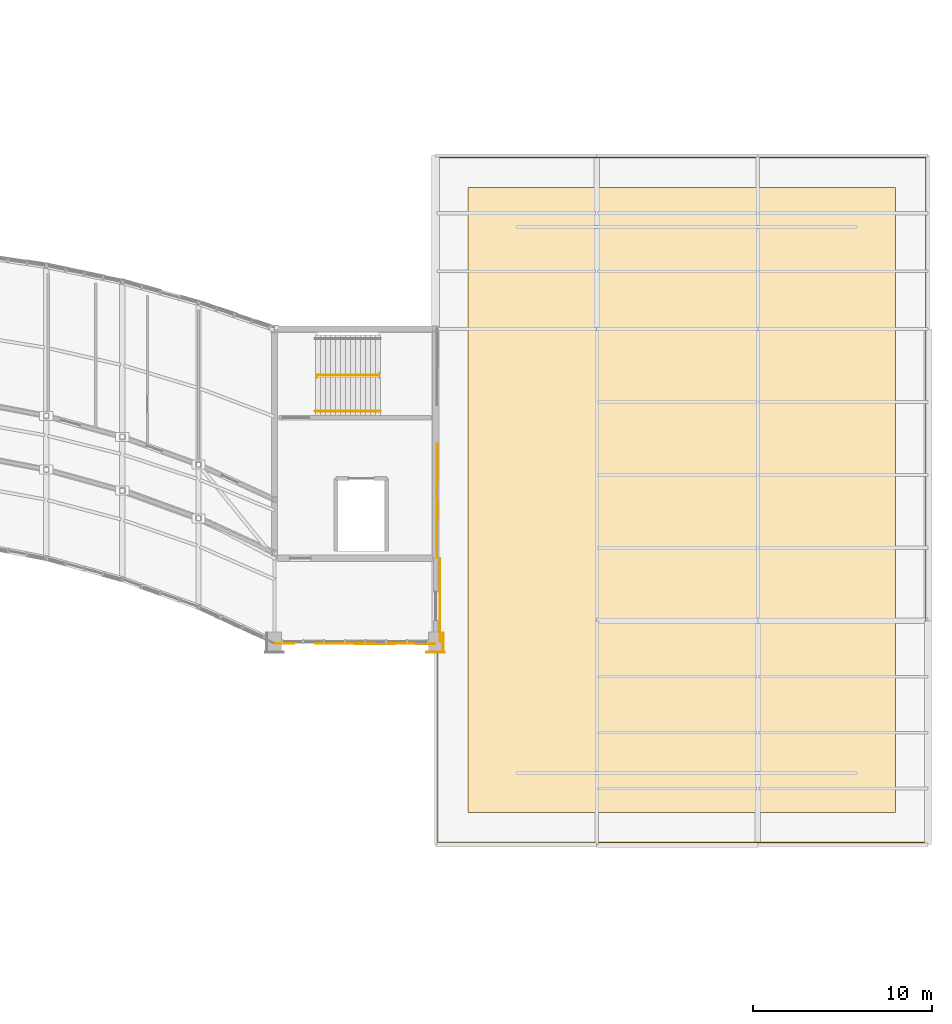
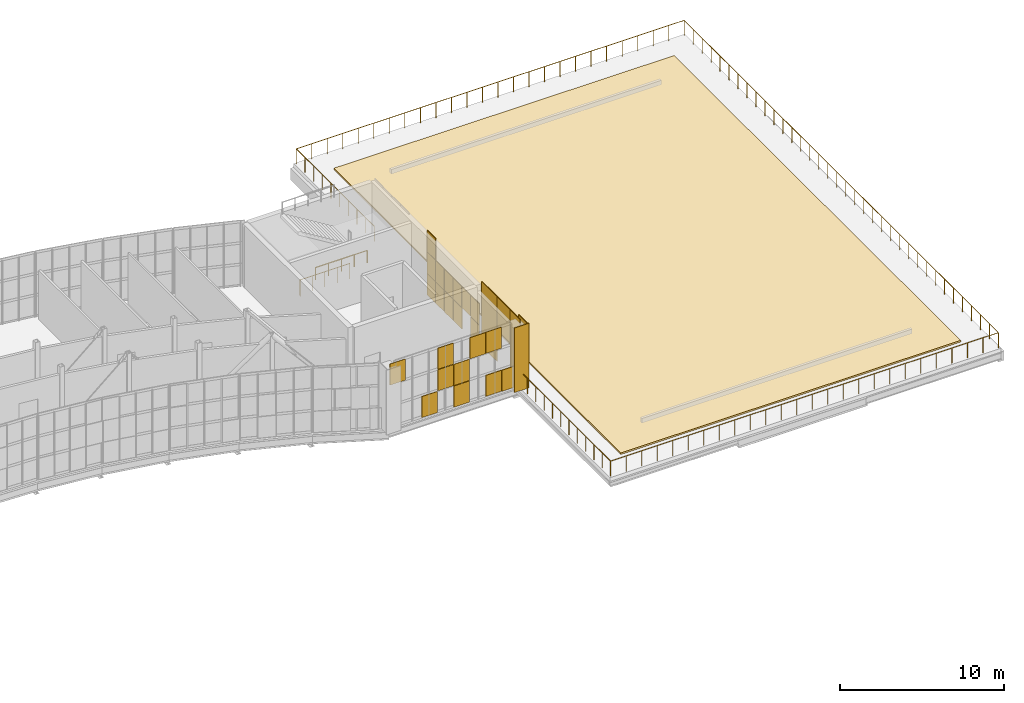
# One storey, part 65 of 66: 28 coverings, 3 railings.
"""IFC4 building model written with IfcOpenShell, lengths in metres."""

from ifc_helpers import new_model, si_unit, direction, frame, origin, origin_2d, place, context, subcontext, project, spatial, polyline, rectangle, circle, outline, extrude, material, layer, layer_set, type_object, element, save


model = new_model("IFC4")

# Units and contexts
model_context = context("Model", 3, precision=1e-05, world=origin(), true_north=direction((0.0, 1.0)))
body_context = subcontext(model_context, "Body", "Model", "MODEL_VIEW")
ifc_project = project(units=[si_unit("LENGTHUNIT", "METRE"), si_unit("AREAUNIT", "SQUARE_METRE"), si_unit("VOLUMEUNIT", "CUBIC_METRE"), si_unit("PLANEANGLEUNIT", "RADIAN"), si_unit("MASSUNIT", "GRAM", prefix="KILO")], contexts=[model_context])

# Site, building, storey
site_placement = place(None, origin())
site = spatial("IfcSite", under=ifc_project, at=site_placement, CompositionType="ELEMENT")
building_placement = place(site_placement, origin())
building = spatial("IfcBuilding", under=site, at=building_placement, Name="Solvikara Media Centre", CompositionType="ELEMENT")
storey_placement = place(building_placement, frame((0.0, 0.0, 19.800048828125)))
storey = spatial("IfcBuildingStorey", under=building, at=storey_placement, Name="L04", CompositionType="ELEMENT", Elevation=19.800048828125)

# Coverings
ifc_material_1 = material(Name="GFRC white mineral architectural rainscreen panel")
ifc_layer_1 = layer(ifc_material_1, 0.050048828125)
ifc_layer_set_1 = layer_set([ifc_layer_1], Name="GFRC white mineral architectural rainscreen panel")
covering_type_1 = type_object("IfcCoveringType", Name="CV-04", PredefinedType="CLADDING", material=ifc_layer_set_1)
for number, where, z_axis, x_axis, name in (
    (1, (136.925048828125, 19.323974609375, 0.0), (0.0, 0.0, 1.0), (0.0, 1.0, 0.0), "PIL-L04-247"),
    (2, (136.5, 18.7490234375, 0.0), (0.0, 0.0, 1.0), (1.0, 0.0, 0.0), "PIL-L04-248"),
):
    element("IfcCovering", number, at=place(storey_placement, frame(where, z_axis=z_axis, x_axis=x_axis)), inside=storey, type_object=covering_type_1, Name=name, PredefinedType="CLADDING", context=body_context, shape_type="SweptSolid", body=[
        extrude(rectangle(XDim=1.0400390625, YDim=0.050048828125, at=origin_2d()), origin(), (0.0, 0.0, 1.0), 4.800048828125),
    ])
for number, where, z_axis, x_axis, name in (
    (3, (132.56201171875, 19.22998046875, 0.01513671875), (0.0, 0.0, 1.0), (1.0, 0.0, 0.0), "CW-L04-BHES-SF-40"),
    (4, (133.68798828125, 19.22998046875, 3.21484375), (0.0, 0.0, 1.0), (1.0, 0.0, 0.0), "CW-L04-BHES-SF-52"),
    (5, (135.93798828125, 19.22998046875, 0.01513671875), (0.0, 0.0, 1.0), (1.0, 0.0, 0.0), "CW-L04-BHES-SF-70"),
):
    element("IfcCovering", number, at=place(storey_placement, frame(where, z_axis=z_axis, x_axis=x_axis)), inside=storey, type_object=covering_type_1, Name=name, PredefinedType="CLADDING", context=body_context, shape_type="SweptSolid", body=[
        extrude(rectangle(XDim=1.094970703125, YDim=0.050048828125, at=origin_2d()), origin(), (0.0, 0.0, 1.0), 1.570068359375),
    ])
covering_1_placement = place(storey_placement, frame((136.7451171875, 19.924072265625, 0.0), z_axis=(0.0, 0.0, 1.0), x_axis=(0.0, 1.0, 0.0)))
element("IfcCovering", 6, at=covering_1_placement, inside=storey, type_object=covering_type_1, Name="L04-BHEE-CV-F01", PredefinedType="CLADDING", context=body_context, shape_type="SweptSolid", body=[
    extrude(rectangle(XDim=1.199951171875, YDim=0.050048828125, at=origin_2d()), origin(), (0.0, 0.0, 1.0), 4.800048828125),
])
covering_2_placement = place(storey_placement, frame((136.7451171875, 21.323974609375, 2.35009765625), z_axis=(0.0, 0.0, 1.0), x_axis=(0.0, 1.0, 0.0)))
element("IfcCovering", 7, at=covering_2_placement, inside=storey, type_object=covering_type_1, Name="L04-BHEE-CV-D02", PredefinedType="CLADDING", context=body_context, shape_type="SweptSolid", body=[
    extrude(rectangle(XDim=1.60009765625, YDim=0.050048828125, at=origin_2d()), origin(), (0.0, 0.0, 1.0), 2.449951171875),
])
covering_3_placement = place(storey_placement, frame((136.7451171875, 23.06201171875, 0.0), z_axis=(0.0, 0.0, 1.0), x_axis=(0.0, 1.0, 0.0)))
element("IfcCovering", 8, at=covering_3_placement, inside=storey, type_object=covering_type_1, Name="L04-BHEE-CV-F03", PredefinedType="CLADDING", context=body_context, shape_type="SweptSolid", body=[
    extrude(rectangle(XDim=1.8759765625, YDim=0.050048828125, at=origin_2d()), origin(), (0.0, 0.0, 1.0), 4.800048828125),
])
covering_4_placement = place(storey_placement, frame((136.593994140625, 26.666015625, 0.01513671875), z_axis=(0.0, 0.0, 1.0), x_axis=(0.0, 1.0, 0.0)))
element("IfcCovering", 9, at=covering_4_placement, inside=storey, type_object=covering_type_1, Name="SHM-L04-C4E-SF-20", PredefinedType="CLADDING", context=body_context, shape_type="SweptSolid", body=[
    extrude(rectangle(XDim=1.037109375, YDim=0.050048828125, at=origin_2d()), origin(), (0.0, 0.0, 1.0), 1.570068359375),
])
covering_5_placement = place(storey_placement, frame((136.593994140625, 28.800048828125, 0.01513671875), z_axis=(0.0, 0.0, 1.0), x_axis=(0.0, 1.0, 0.0)))
element("IfcCovering", 10, at=covering_5_placement, inside=storey, type_object=covering_type_1, Name="SHM-L04-C4E-SF-40", PredefinedType="CLADDING", context=body_context, shape_type="SweptSolid", body=[
    extrude(rectangle(XDim=1.035888671875, YDim=0.050048828125, at=origin_2d()), origin(), (0.0, 0.0, 1.0), 1.570068359375),
])
for number, where, z_axis, x_axis, name in (
    (11, (136.593994140625, 29.866943359375, 1.61474609375), (0.0, 0.0, 1.0), (0.0, 1.0, 0.0), "SHM-L04-C4E-SF-51"),
    (12, (136.593994140625, 29.866943359375, 3.21484375), (0.0, 0.0, 1.0), (0.0, 1.0, 0.0), "SHM-L04-C4E-SF-52"),
):
    element("IfcCovering", number, at=place(storey_placement, frame(where, z_axis=z_axis, x_axis=x_axis)), inside=storey, type_object=covering_type_1, Name=name, PredefinedType="CLADDING", context=body_context, shape_type="SweptSolid", body=[
        extrude(rectangle(XDim=1.037109375, YDim=0.050048828125, at=origin_2d()), origin(), (0.0, 0.0, 1.0), 1.570068359375),
    ])
ifc_material_2 = material(Name="Insulated silver-pearl glass spandrel panel", Category="glass")
ifc_layer_2 = layer(ifc_material_2, 0.034912109375)
ifc_layer_set_2 = layer_set([ifc_layer_2], Name="Insulated silver-pearl glass spandrel panel")
covering_type_2 = type_object("IfcCoveringType", Name="CV-06", PredefinedType="CLADDING", material=ifc_layer_set_2)
for number, where, z_axis, x_axis, name in (
    (13, (128.06201171875, 19.239990234375, 3.21484375), (0.0, 0.0, 1.0), (1.0, 0.0, 0.0), "CW-L04-BHES-PX-02"),
    (14, (130.31201171875, 19.239990234375, 0.01513671875), (0.0, 0.0, 1.0), (1.0, 0.0, 0.0), "CW-L04-BHES-PX-20"),
    (15, (131.43798828125, 19.239990234375, 1.61474609375), (0.0, 0.0, 1.0), (1.0, 0.0, 0.0), "CW-L04-BHES-PX-31"),
    (16, (131.43798828125, 19.239990234375, 3.21484375), (0.0, 0.0, 1.0), (1.0, 0.0, 0.0), "CW-L04-BHES-PX-32"),
    (17, (132.56201171875, 19.239990234375, 1.61474609375), (0.0, 0.0, 1.0), (1.0, 0.0, 0.0), "CW-L04-BHES-PX-41"),
    (18, (134.81201171875, 19.239990234375, 0.01513671875), (0.0, 0.0, 1.0), (1.0, 0.0, 0.0), "CW-L04-BHES-PX-60"),
    (19, (134.81201171875, 19.239990234375, 3.21484375), (0.0, 0.0, 1.0), (1.0, 0.0, 0.0), "CW-L04-BHES-PX-62"),
):
    element("IfcCovering", number, at=place(storey_placement, frame(where, z_axis=z_axis, x_axis=x_axis)), inside=storey, type_object=covering_type_2, Name=name, PredefinedType="CLADDING", context=body_context, shape_type="SweptSolid", body=[
        extrude(rectangle(XDim=1.094970703125, YDim=0.034912109375, at=origin_2d()), origin(), (0.0, 0.0, 1.0), 1.570068359375),
    ])
for number, where, z_axis, x_axis, name in (
    (20, (136.583984375, 24.533935546875, 0.01513671875), (0.0, 0.0, 1.0), (0.0, 1.0, 0.0), "SHM-L04-C4E-PX-00"),
    (21, (136.583984375, 24.533935546875, 1.61474609375), (0.0, 0.0, 1.0), (0.0, 1.0, 0.0), "SHM-L04-C4E-PX-01"),
):
    element("IfcCovering", number, at=place(storey_placement, frame(where, z_axis=z_axis, x_axis=x_axis)), inside=storey, type_object=covering_type_2, Name=name, PredefinedType="CLADDING", context=body_context, shape_type="SweptSolid", body=[
        extrude(rectangle(XDim=1.037109375, YDim=0.034912109375, at=origin_2d()), origin(), (0.0, 0.0, 1.0), 1.570068359375),
    ])
covering_6_placement = place(storey_placement, frame((136.583984375, 25.60009765625, 1.61474609375), z_axis=(0.0, 0.0, 1.0), x_axis=(0.0, 1.0, 0.0)))
element("IfcCovering", 22, at=covering_6_placement, inside=storey, type_object=covering_type_2, Name="SHM-L04-C4E-PX-11", PredefinedType="CLADDING", context=body_context, shape_type="SweptSolid", body=[
    extrude(rectangle(XDim=1.035888671875, YDim=0.034912109375, at=origin_2d()), origin(), (0.0, 0.0, 1.0), 1.570068359375),
])
for number, where, z_axis, x_axis, name in (
    (23, (136.583984375, 26.666015625, 1.61474609375), (0.0, 0.0, 1.0), (0.0, 1.0, 0.0), "SHM-L04-C4E-PX-21"),
    (24, (136.583984375, 27.73291015625, 0.01513671875), (0.0, 0.0, 1.0), (0.0, 1.0, 0.0), "SHM-L04-C4E-PX-30"),
    (25, (136.583984375, 27.73291015625, 1.61474609375), (0.0, 0.0, 1.0), (0.0, 1.0, 0.0), "SHM-L04-C4E-PX-31"),
):
    element("IfcCovering", number, at=place(storey_placement, frame(where, z_axis=z_axis, x_axis=x_axis)), inside=storey, type_object=covering_type_2, Name=name, PredefinedType="CLADDING", context=body_context, shape_type="SweptSolid", body=[
        extrude(rectangle(XDim=1.037109375, YDim=0.034912109375, at=origin_2d()), origin(), (0.0, 0.0, 1.0), 1.570068359375),
    ])
covering_7_placement = place(storey_placement, frame((136.583984375, 28.800048828125, 1.61474609375), z_axis=(0.0, 0.0, 1.0), x_axis=(0.0, 1.0, 0.0)))
element("IfcCovering", 26, at=covering_7_placement, inside=storey, type_object=covering_type_2, Name="SHM-L04-C4E-PX-41", PredefinedType="CLADDING", context=body_context, shape_type="SweptSolid", body=[
    extrude(rectangle(XDim=1.035888671875, YDim=0.034912109375, at=origin_2d()), origin(), (0.0, 0.0, 1.0), 1.570068359375),
])
covering_8_placement = place(storey_placement, frame((136.583984375, 29.866943359375, 0.01513671875), z_axis=(0.0, 0.0, 1.0), x_axis=(0.0, 1.0, 0.0)))
element("IfcCovering", 27, at=covering_8_placement, inside=storey, type_object=covering_type_2, Name="SHM-L04-C4E-PX-50", PredefinedType="CLADDING", context=body_context, shape_type="SweptSolid", body=[
    extrude(rectangle(XDim=1.037109375, YDim=0.034912109375, at=origin_2d()), origin(), (0.0, 0.0, 1.0), 1.570068359375),
])
ifc_material_3 = material(Name="Engineered extensive green-roof substrate and membrane")
ifc_layer_3 = layer(ifc_material_3, 0.1201171875)
ifc_layer_set_3 = layer_set([ifc_layer_3], Name="Engineered extensive green-roof substrate and membrane")
covering_type_3 = type_object("IfcCoveringType", Name="CV-07", PredefinedType="ROOFING", material=ifc_layer_set_3)
covering_9_placement = place(storey_placement, origin())
element("IfcCovering", 28, at=covering_9_placement, inside=storey, type_object=covering_type_3, Name="GRN-TER-L04-V5", PredefinedType="ROOFING", context=body_context, shape_type="SweptSolid", body=[
    extrude(outline(polyline([(138.300048828125, 9.800048828125), (162.199951171875, 9.800048828125), (162.199951171875, 44.699951171875), (138.300048828125, 44.699951171875), (138.300048828125, 9.800048828125)])), origin(), (0.0, 0.0, 1.0), 0.119873046875),
])

# Railings
ifc_material_4 = material(Name="Steel S355JR", Category="steel")
railing_type_1 = type_object("IfcRailingType", Name="GR-01", PredefinedType="GUARDRAIL", material=ifc_material_4)
railing_1_placement = place(storey_placement, frame((136.6201171875, 19.25, 0.0)))
element("IfcRailing", 29, at=railing_1_placement, inside=storey, type_object=railing_type_1, Name="GR-TER-L04E", PredefinedType="GUARDRAIL", context=body_context, shape_type="SweptSolid", body=[
    extrude(circle(Radius=0.02392578125, at=origin_2d()), frame((0.0, 0.0, 1.1259765625), z_axis=(0.0, -1.0, 0.0), x_axis=(1.0, 0.0, 0.0)), (0.0, 0.0, 1.0), 11.1298828125),
    extrude(circle(Radius=0.02392578125, at=origin_2d()), frame((0.0, -11.1298828125, 1.1259765625), z_axis=(1.0, 0.0, 0.0), x_axis=(0.0, 1.0, 0.0)), (0.0, 0.0, 1.0), 27.259765625),
    extrude(circle(Radius=0.02392578125, at=origin_2d()), frame((27.259765625, -11.1298828125, 1.1259765625), z_axis=(0.0, 1.0, 0.0), x_axis=(-1.0, 0.0, 0.0)), (0.0, 0.0, 1.0), 38.259765625),
    extrude(circle(Radius=0.02392578125, at=origin_2d()), frame((27.259765625, 27.1298828125, 1.1259765625), z_axis=(-1.0, 0.0, 0.0), x_axis=(0.0, -1.0, 0.0)), (0.0, 0.0, 1.0), 27.259765625),
    extrude(circle(Radius=0.02392578125, at=origin_2d()), frame((0.0, 27.1298828125, 1.1259765625), z_axis=(0.0, -1.0, 0.0), x_axis=(1.0, 0.0, 0.0)), (0.0, 0.0, 1.0), 9.5),
    extrude(circle(Radius=0.02099609375, at=origin_2d()), origin(), (0.0, 0.0, 1.0), 1.101806640625),
    extrude(circle(Radius=0.02099609375, at=origin_2d()), frame((0.0, -1.01171875, 0.0)), (0.0, 0.0, 1.0), 1.101806640625),
    extrude(circle(Radius=0.02099609375, at=origin_2d()), frame((0.0, -2.023681640625, 0.0)), (0.0, 0.0, 1.0), 1.101806640625),
    extrude(circle(Radius=0.02099609375, at=origin_2d()), frame((0.0, -3.035400390625, 0.0)), (0.0, 0.0, 1.0), 1.101806640625),
    extrude(circle(Radius=0.02099609375, at=origin_2d()), frame((0.0, -4.047119140625, 0.0)), (0.0, 0.0, 1.0), 1.101806640625),
    extrude(circle(Radius=0.02099609375, at=origin_2d()), frame((0.0, -5.05908203125, 0.0)), (0.0, 0.0, 1.0), 1.101806640625),
    extrude(circle(Radius=0.02099609375, at=origin_2d()), frame((0.0, -6.07080078125, 0.0)), (0.0, 0.0, 1.0), 1.101806640625),
    extrude(circle(Radius=0.02099609375, at=origin_2d()), frame((0.0, -7.082763671875, 0.0)), (0.0, 0.0, 1.0), 1.101806640625),
    extrude(circle(Radius=0.02099609375, at=origin_2d()), frame((0.0, -8.094482421875, 0.0)), (0.0, 0.0, 1.0), 1.101806640625),
    extrude(circle(Radius=0.02099609375, at=origin_2d()), frame((0.0, -9.106201171875, 0.0)), (0.0, 0.0, 1.0), 1.101806640625),
    extrude(circle(Radius=0.02099609375, at=origin_2d()), frame((0.0, -10.1181640625, 0.0)), (0.0, 0.0, 1.0), 1.101806640625),
    extrude(circle(Radius=0.02099609375, at=origin_2d()), frame((0.0, -11.1298828125, 0.0)), (0.0, 0.0, 1.0), 1.101806640625),
    extrude(circle(Radius=0.02099609375, at=origin_2d()), frame((1.09033203125, -11.1298828125, 0.0)), (0.0, 0.0, 1.0), 1.101806640625),
    extrude(circle(Radius=0.02099609375, at=origin_2d()), frame((2.1806640625, -11.1298828125, 0.0)), (0.0, 0.0, 1.0), 1.101806640625),
    extrude(circle(Radius=0.02099609375, at=origin_2d()), frame((3.271240234375, -11.1298828125, 0.0)), (0.0, 0.0, 1.0), 1.101806640625),
    extrude(circle(Radius=0.02099609375, at=origin_2d()), frame((4.361572265625, -11.1298828125, 0.0)), (0.0, 0.0, 1.0), 1.101806640625),
    extrude(circle(Radius=0.02099609375, at=origin_2d()), frame((5.451904296875, -11.1298828125, 0.0)), (0.0, 0.0, 1.0), 1.101806640625),
    extrude(circle(Radius=0.02099609375, at=origin_2d()), frame((6.542236328125, -11.1298828125, 0.0)), (0.0, 0.0, 1.0), 1.101806640625),
    extrude(circle(Radius=0.02099609375, at=origin_2d()), frame((7.6328125, -11.1298828125, 0.0)), (0.0, 0.0, 1.0), 1.101806640625),
    extrude(circle(Radius=0.02099609375, at=origin_2d()), frame((8.72314453125, -11.1298828125, 0.0)), (0.0, 0.0, 1.0), 1.101806640625),
    extrude(circle(Radius=0.02099609375, at=origin_2d()), frame((9.8134765625, -11.1298828125, 0.0)), (0.0, 0.0, 1.0), 1.101806640625),
    extrude(circle(Radius=0.02099609375, at=origin_2d()), frame((10.90380859375, -11.1298828125, 0.0)), (0.0, 0.0, 1.0), 1.101806640625),
    extrude(circle(Radius=0.02099609375, at=origin_2d()), frame((11.994384765625, -11.1298828125, 0.0)), (0.0, 0.0, 1.0), 1.101806640625),
    extrude(circle(Radius=0.02099609375, at=origin_2d()), frame((13.084716796875, -11.1298828125, 0.0)), (0.0, 0.0, 1.0), 1.101806640625),
    extrude(circle(Radius=0.02099609375, at=origin_2d()), frame((14.175048828125, -11.1298828125, 0.0)), (0.0, 0.0, 1.0), 1.101806640625),
    extrude(circle(Radius=0.02099609375, at=origin_2d()), frame((15.265380859375, -11.1298828125, 0.0)), (0.0, 0.0, 1.0), 1.101806640625),
    extrude(circle(Radius=0.02099609375, at=origin_2d()), frame((16.35595703125, -11.1298828125, 0.0)), (0.0, 0.0, 1.0), 1.101806640625),
    extrude(circle(Radius=0.02099609375, at=origin_2d()), frame((17.4462890625, -11.1298828125, 0.0)), (0.0, 0.0, 1.0), 1.101806640625),
    extrude(circle(Radius=0.02099609375, at=origin_2d()), frame((18.53662109375, -11.1298828125, 0.0)), (0.0, 0.0, 1.0), 1.101806640625),
    extrude(circle(Radius=0.02099609375, at=origin_2d()), frame((19.626953125, -11.1298828125, 0.0)), (0.0, 0.0, 1.0), 1.101806640625),
    extrude(circle(Radius=0.02099609375, at=origin_2d()), frame((20.717529296875, -11.1298828125, 0.0)), (0.0, 0.0, 1.0), 1.101806640625),
    extrude(circle(Radius=0.02099609375, at=origin_2d()), frame((21.807861328125, -11.1298828125, 0.0)), (0.0, 0.0, 1.0), 1.101806640625),
    extrude(circle(Radius=0.02099609375, at=origin_2d()), frame((22.898193359375, -11.1298828125, 0.0)), (0.0, 0.0, 1.0), 1.101806640625),
    extrude(circle(Radius=0.02099609375, at=origin_2d()), frame((23.988525390625, -11.1298828125, 0.0)), (0.0, 0.0, 1.0), 1.101806640625),
    extrude(circle(Radius=0.02099609375, at=origin_2d()), frame((25.0791015625, -11.1298828125, 0.0)), (0.0, 0.0, 1.0), 1.101806640625),
    extrude(circle(Radius=0.02099609375, at=origin_2d()), frame((26.16943359375, -11.1298828125, 0.0)), (0.0, 0.0, 1.0), 1.101806640625),
    extrude(circle(Radius=0.02099609375, at=origin_2d()), frame((27.259765625, -11.1298828125, 0.0)), (0.0, 0.0, 1.0), 1.101806640625),
    extrude(circle(Radius=0.02099609375, at=origin_2d()), frame((27.259765625, -10.036865234375, 0.0)), (0.0, 0.0, 1.0), 1.101806640625),
    extrude(circle(Radius=0.02099609375, at=origin_2d()), frame((27.259765625, -8.943603515625, 0.0)), (0.0, 0.0, 1.0), 1.101806640625),
    extrude(circle(Radius=0.02099609375, at=origin_2d()), frame((27.259765625, -7.8505859375, 0.0)), (0.0, 0.0, 1.0), 1.101806640625),
    extrude(circle(Radius=0.02099609375, at=origin_2d()), frame((27.259765625, -6.75732421875, 0.0)), (0.0, 0.0, 1.0), 1.101806640625),
    extrude(circle(Radius=0.02099609375, at=origin_2d()), frame((27.259765625, -5.664306640625, 0.0)), (0.0, 0.0, 1.0), 1.101806640625),
    extrude(circle(Radius=0.02099609375, at=origin_2d()), frame((27.259765625, -4.571044921875, 0.0)), (0.0, 0.0, 1.0), 1.101806640625),
    extrude(circle(Radius=0.02099609375, at=origin_2d()), frame((27.259765625, -3.47802734375, 0.0)), (0.0, 0.0, 1.0), 1.101806640625),
    extrude(circle(Radius=0.02099609375, at=origin_2d()), frame((27.259765625, -2.384765625, 0.0)), (0.0, 0.0, 1.0), 1.101806640625),
    extrude(circle(Radius=0.02099609375, at=origin_2d()), frame((27.259765625, -1.291748046875, 0.0)), (0.0, 0.0, 1.0), 1.101806640625),
    extrude(circle(Radius=0.02099609375, at=origin_2d()), frame((27.259765625, -0.198486328125, 0.0)), (0.0, 0.0, 1.0), 1.101806640625),
    extrude(circle(Radius=0.02099609375, at=origin_2d()), frame((27.259765625, 0.89453125, 0.0)), (0.0, 0.0, 1.0), 1.101806640625),
    extrude(circle(Radius=0.02099609375, at=origin_2d()), frame((27.259765625, 1.98779296875, 0.0)), (0.0, 0.0, 1.0), 1.101806640625),
    extrude(circle(Radius=0.02099609375, at=origin_2d()), frame((27.259765625, 3.080810546875, 0.0)), (0.0, 0.0, 1.0), 1.101806640625),
    extrude(circle(Radius=0.02099609375, at=origin_2d()), frame((27.259765625, 4.174072265625, 0.0)), (0.0, 0.0, 1.0), 1.101806640625),
    extrude(circle(Radius=0.02099609375, at=origin_2d()), frame((27.259765625, 5.26708984375, 0.0)), (0.0, 0.0, 1.0), 1.101806640625),
    extrude(circle(Radius=0.02099609375, at=origin_2d()), frame((27.259765625, 6.3603515625, 0.0)), (0.0, 0.0, 1.0), 1.101806640625),
    extrude(circle(Radius=0.02099609375, at=origin_2d()), frame((27.259765625, 7.453369140625, 0.0)), (0.0, 0.0, 1.0), 1.101806640625),
    extrude(circle(Radius=0.02099609375, at=origin_2d()), frame((27.259765625, 8.546630859375, 0.0)), (0.0, 0.0, 1.0), 1.101806640625),
    extrude(circle(Radius=0.02099609375, at=origin_2d()), frame((27.259765625, 9.6396484375, 0.0)), (0.0, 0.0, 1.0), 1.101806640625),
    extrude(circle(Radius=0.02099609375, at=origin_2d()), frame((27.259765625, 10.73291015625, 0.0)), (0.0, 0.0, 1.0), 1.101806640625),
    extrude(circle(Radius=0.02099609375, at=origin_2d()), frame((27.259765625, 11.825927734375, 0.0)), (0.0, 0.0, 1.0), 1.101806640625),
    extrude(circle(Radius=0.02099609375, at=origin_2d()), frame((27.259765625, 12.919189453125, 0.0)), (0.0, 0.0, 1.0), 1.101806640625),
    extrude(circle(Radius=0.02099609375, at=origin_2d()), frame((27.259765625, 14.01220703125, 0.0)), (0.0, 0.0, 1.0), 1.101806640625),
    extrude(circle(Radius=0.02099609375, at=origin_2d()), frame((27.259765625, 15.10546875, 0.0)), (0.0, 0.0, 1.0), 1.101806640625),
    extrude(circle(Radius=0.02099609375, at=origin_2d()), frame((27.259765625, 16.198486328125, 0.0)), (0.0, 0.0, 1.0), 1.101806640625),
    extrude(circle(Radius=0.02099609375, at=origin_2d()), frame((27.259765625, 17.291748046875, 0.0)), (0.0, 0.0, 1.0), 1.101806640625),
    extrude(circle(Radius=0.02099609375, at=origin_2d()), frame((27.259765625, 18.384765625, 0.0)), (0.0, 0.0, 1.0), 1.101806640625),
    extrude(circle(Radius=0.02099609375, at=origin_2d()), frame((27.259765625, 19.47802734375, 0.0)), (0.0, 0.0, 1.0), 1.101806640625),
    extrude(circle(Radius=0.02099609375, at=origin_2d()), frame((27.259765625, 20.571044921875, 0.0)), (0.0, 0.0, 1.0), 1.101806640625),
    extrude(circle(Radius=0.02099609375, at=origin_2d()), frame((27.259765625, 21.664306640625, 0.0)), (0.0, 0.0, 1.0), 1.101806640625),
    extrude(circle(Radius=0.02099609375, at=origin_2d()), frame((27.259765625, 22.75732421875, 0.0)), (0.0, 0.0, 1.0), 1.101806640625),
    extrude(circle(Radius=0.02099609375, at=origin_2d()), frame((27.259765625, 23.8505859375, 0.0)), (0.0, 0.0, 1.0), 1.101806640625),
    extrude(circle(Radius=0.02099609375, at=origin_2d()), frame((27.259765625, 24.943603515625, 0.0)), (0.0, 0.0, 1.0), 1.101806640625),
    extrude(circle(Radius=0.02099609375, at=origin_2d()), frame((27.259765625, 26.036865234375, 0.0)), (0.0, 0.0, 1.0), 1.101806640625),
    extrude(circle(Radius=0.02099609375, at=origin_2d()), frame((27.259765625, 27.1298828125, 0.0)), (0.0, 0.0, 1.0), 1.101806640625),
    extrude(circle(Radius=0.02099609375, at=origin_2d()), frame((26.16943359375, 27.1298828125, 0.0)), (0.0, 0.0, 1.0), 1.101806640625),
    extrude(circle(Radius=0.02099609375, at=origin_2d()), frame((25.0791015625, 27.1298828125, 0.0)), (0.0, 0.0, 1.0), 1.101806640625),
    extrude(circle(Radius=0.02099609375, at=origin_2d()), frame((23.988525390625, 27.1298828125, 0.0)), (0.0, 0.0, 1.0), 1.101806640625),
    extrude(circle(Radius=0.02099609375, at=origin_2d()), frame((22.898193359375, 27.1298828125, 0.0)), (0.0, 0.0, 1.0), 1.101806640625),
    extrude(circle(Radius=0.02099609375, at=origin_2d()), frame((21.807861328125, 27.1298828125, 0.0)), (0.0, 0.0, 1.0), 1.101806640625),
    extrude(circle(Radius=0.02099609375, at=origin_2d()), frame((20.717529296875, 27.1298828125, 0.0)), (0.0, 0.0, 1.0), 1.101806640625),
    extrude(circle(Radius=0.02099609375, at=origin_2d()), frame((19.626953125, 27.1298828125, 0.0)), (0.0, 0.0, 1.0), 1.101806640625),
    extrude(circle(Radius=0.02099609375, at=origin_2d()), frame((18.53662109375, 27.1298828125, 0.0)), (0.0, 0.0, 1.0), 1.101806640625),
    extrude(circle(Radius=0.02099609375, at=origin_2d()), frame((17.4462890625, 27.1298828125, 0.0)), (0.0, 0.0, 1.0), 1.101806640625),
    extrude(circle(Radius=0.02099609375, at=origin_2d()), frame((16.35595703125, 27.1298828125, 0.0)), (0.0, 0.0, 1.0), 1.101806640625),
    extrude(circle(Radius=0.02099609375, at=origin_2d()), frame((15.265380859375, 27.1298828125, 0.0)), (0.0, 0.0, 1.0), 1.101806640625),
    extrude(circle(Radius=0.02099609375, at=origin_2d()), frame((14.175048828125, 27.1298828125, 0.0)), (0.0, 0.0, 1.0), 1.101806640625),
    extrude(circle(Radius=0.02099609375, at=origin_2d()), frame((13.084716796875, 27.1298828125, 0.0)), (0.0, 0.0, 1.0), 1.101806640625),
    extrude(circle(Radius=0.02099609375, at=origin_2d()), frame((11.994384765625, 27.1298828125, 0.0)), (0.0, 0.0, 1.0), 1.101806640625),
    extrude(circle(Radius=0.02099609375, at=origin_2d()), frame((10.90380859375, 27.1298828125, 0.0)), (0.0, 0.0, 1.0), 1.101806640625),
    extrude(circle(Radius=0.02099609375, at=origin_2d()), frame((9.8134765625, 27.1298828125, 0.0)), (0.0, 0.0, 1.0), 1.101806640625),
    extrude(circle(Radius=0.02099609375, at=origin_2d()), frame((8.72314453125, 27.1298828125, 0.0)), (0.0, 0.0, 1.0), 1.101806640625),
    extrude(circle(Radius=0.02099609375, at=origin_2d()), frame((7.6328125, 27.1298828125, 0.0)), (0.0, 0.0, 1.0), 1.101806640625),
    extrude(circle(Radius=0.02099609375, at=origin_2d()), frame((6.542236328125, 27.1298828125, 0.0)), (0.0, 0.0, 1.0), 1.101806640625),
    extrude(circle(Radius=0.02099609375, at=origin_2d()), frame((5.451904296875, 27.1298828125, 0.0)), (0.0, 0.0, 1.0), 1.101806640625),
    extrude(circle(Radius=0.02099609375, at=origin_2d()), frame((4.361572265625, 27.1298828125, 0.0)), (0.0, 0.0, 1.0), 1.101806640625),
    extrude(circle(Radius=0.02099609375, at=origin_2d()), frame((3.271240234375, 27.1298828125, 0.0)), (0.0, 0.0, 1.0), 1.101806640625),
    extrude(circle(Radius=0.02099609375, at=origin_2d()), frame((2.1806640625, 27.1298828125, 0.0)), (0.0, 0.0, 1.0), 1.101806640625),
    extrude(circle(Radius=0.02099609375, at=origin_2d()), frame((1.09033203125, 27.1298828125, 0.0)), (0.0, 0.0, 1.0), 1.101806640625),
    extrude(circle(Radius=0.02099609375, at=origin_2d()), frame((0.0, 27.1298828125, 0.0)), (0.0, 0.0, 1.0), 1.101806640625),
    extrude(circle(Radius=0.02099609375, at=origin_2d()), frame((0.0, 26.07421875, 0.0)), (0.0, 0.0, 1.0), 1.101806640625),
    extrude(circle(Radius=0.02099609375, at=origin_2d()), frame((0.0, 25.018798828125, 0.0)), (0.0, 0.0, 1.0), 1.101806640625),
    extrude(circle(Radius=0.02099609375, at=origin_2d()), frame((0.0, 23.963134765625, 0.0)), (0.0, 0.0, 1.0), 1.101806640625),
    extrude(circle(Radius=0.02099609375, at=origin_2d()), frame((0.0, 22.90771484375, 0.0)), (0.0, 0.0, 1.0), 1.101806640625),
    extrude(circle(Radius=0.02099609375, at=origin_2d()), frame((0.0, 21.85205078125, 0.0)), (0.0, 0.0, 1.0), 1.101806640625),
    extrude(circle(Radius=0.02099609375, at=origin_2d()), frame((0.0, 20.796630859375, 0.0)), (0.0, 0.0, 1.0), 1.101806640625),
    extrude(circle(Radius=0.02099609375, at=origin_2d()), frame((0.0, 19.740966796875, 0.0)), (0.0, 0.0, 1.0), 1.101806640625),
    extrude(circle(Radius=0.02099609375, at=origin_2d()), frame((0.0, 18.685546875, 0.0)), (0.0, 0.0, 1.0), 1.101806640625),
    extrude(circle(Radius=0.02099609375, at=origin_2d()), frame((0.0, 17.6298828125, 0.0)), (0.0, 0.0, 1.0), 1.101806640625),
])
railing_2_placement = place(storey_placement, frame((129.840087890625, 34.080078125, 0.0)))
element("IfcRailing", 30, at=railing_2_placement, inside=storey, type_object=railing_type_1, Name="GR-C4-L03-W", PredefinedType="GUARDRAIL", context=body_context, shape_type="SweptSolid", body=[
    extrude(circle(Radius=0.02392578125, at=origin_2d()), frame((0.0, 0.0, 1.1259765625), z_axis=(0.0, 1.0, 0.0), x_axis=(-1.0, 0.0, 0.0)), (0.0, 0.0, 1.0), 0.139892578125),
    extrude(circle(Radius=0.02392578125, at=origin_2d()), frame((0.0, 0.139892578125, 1.1259765625), z_axis=(1.0, 0.0, 0.0), x_axis=(0.0, 1.0, 0.0)), (0.0, 0.0, 1.0), 3.52001953125),
    extrude(circle(Radius=0.02099609375, at=origin_2d()), origin(), (0.0, 0.0, 1.0), 1.101806640625),
    extrude(circle(Radius=0.02099609375, at=origin_2d()), frame((0.0, 0.139892578125, 0.0)), (0.0, 0.0, 1.0), 1.101806640625),
    extrude(circle(Radius=0.02099609375, at=origin_2d()), frame((0.8798828125, 0.139892578125, 0.0)), (0.0, 0.0, 1.0), 1.101806640625),
    extrude(circle(Radius=0.02099609375, at=origin_2d()), frame((1.760009765625, 0.139892578125, 0.0)), (0.0, 0.0, 1.0), 1.101806640625),
    extrude(circle(Radius=0.02099609375, at=origin_2d()), frame((2.64013671875, 0.139892578125, 0.0)), (0.0, 0.0, 1.0), 1.101806640625),
    extrude(circle(Radius=0.02099609375, at=origin_2d()), frame((3.52001953125, 0.139892578125, 0.0)), (0.0, 0.0, 1.0), 1.101806640625),
])
railing_type_2 = type_object("IfcRailingType", Name="HR-01", PredefinedType="HANDRAIL", material=ifc_material_4)
railing_3_placement = place(storey_placement, frame((129.780029296875, 32.199951171875, 2.39990234375)))
element("IfcRailing", 31, at=railing_3_placement, inside=storey, type_object=railing_type_2, Name="HR-C4-L04-1", PredefinedType="HANDRAIL", context=body_context, shape_type="SweptSolid", body=[
    extrude(circle(Radius=0.02392578125, at=origin_2d()), frame((0.0, 0.0, 0.89599609375), z_axis=(1.0, 0.0, 0.0), x_axis=(0.0, 1.0, 0.0)), (0.0, 0.0, 1.0), 3.639892578125),
    extrude(circle(Radius=0.02099609375, at=origin_2d()), origin(), (0.0, 0.0, 1.0), 0.871826171875),
    extrude(circle(Radius=0.02099609375, at=origin_2d()), frame((0.909912109375, 0.0, 0.0)), (0.0, 0.0, 1.0), 0.871826171875),
    extrude(circle(Radius=0.02099609375, at=origin_2d()), frame((1.81982421875, 0.0, 0.0)), (0.0, 0.0, 1.0), 0.871826171875),
    extrude(circle(Radius=0.02099609375, at=origin_2d()), frame((2.72998046875, 0.0, 0.0)), (0.0, 0.0, 1.0), 0.871826171875),
    extrude(circle(Radius=0.02099609375, at=origin_2d()), frame((3.639892578125, 0.0, 0.0)), (0.0, 0.0, 1.0), 0.871826171875),
])

save(model, "model.ifc")
